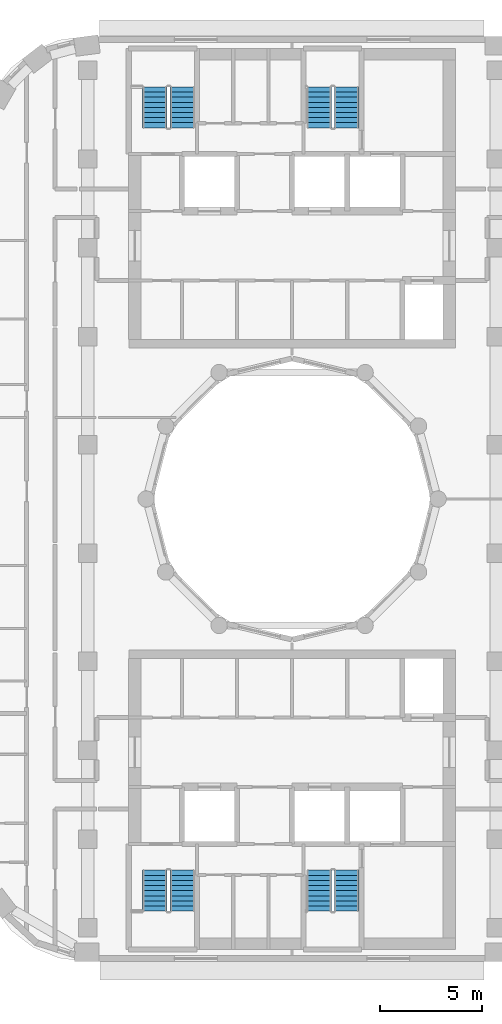
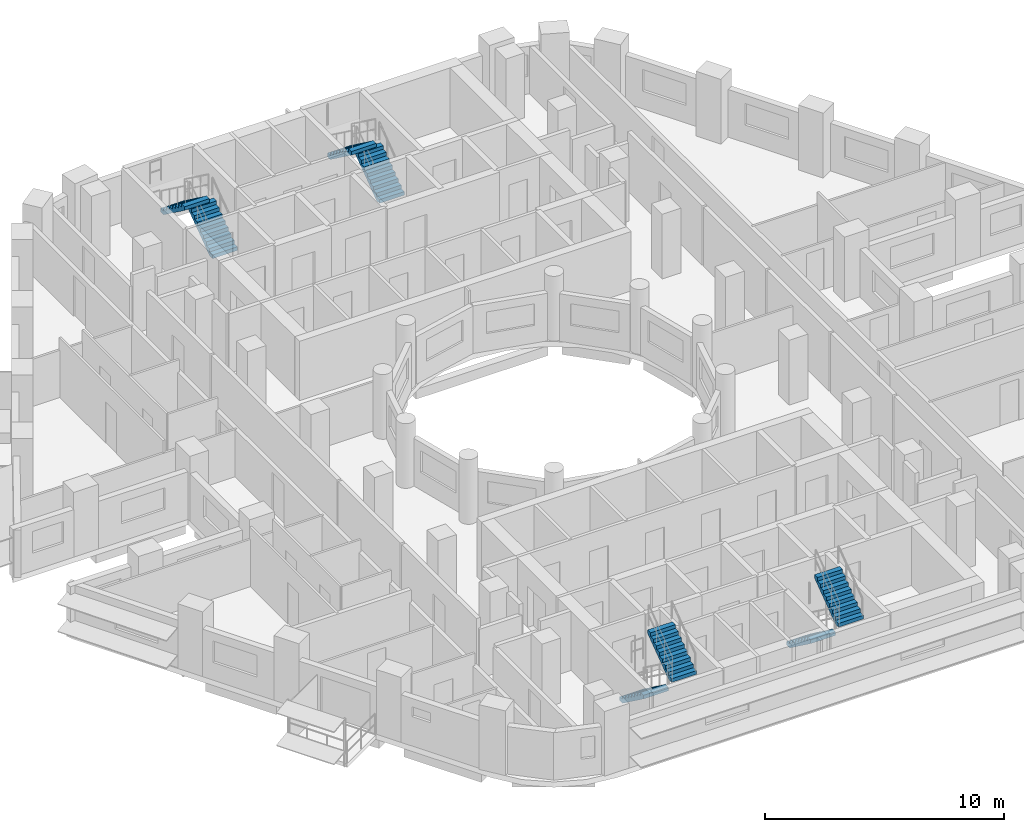
# One storey, part 10 of 17: 8 stair flights, 4 elements without a shape of their own.
"""IFC4 building model written with IfcOpenShell, lengths in metres."""

from ifc_helpers import new_model, si_unit, direction, frame, origin, place, context, subcontext, project, spatial, polyline, outline, extrude, material, type_object, element, aggregate, save


model = new_model("IFC4")

# Units and contexts
model_context = context("Model", 3, precision=1e-05, world=origin(), true_north=direction((0.0, 1.0)))
body_context = subcontext(model_context, "Body", "Model", "MODEL_VIEW")
ifc_project = project(units=[si_unit("LENGTHUNIT", "METRE"), si_unit("AREAUNIT", "SQUARE_METRE"), si_unit("VOLUMEUNIT", "CUBIC_METRE"), si_unit("PLANEANGLEUNIT", "RADIAN"), si_unit("MASSUNIT", "GRAM", prefix="KILO")], contexts=[model_context])

# Site, building, storey
site_placement = place(None, origin())
site = spatial("IfcSite", under=ifc_project, at=site_placement, CompositionType="ELEMENT")
building_placement = place(site_placement, origin())
building = spatial("IfcBuilding", under=site, at=building_placement, Name="Nakaniwa Court", CompositionType="ELEMENT")
storey_placement = place(building_placement, frame((0.0, 0.0, 209.699951171875)))
storey = spatial("IfcBuildingStorey", under=building, at=storey_placement, Name="L55", CompositionType="ELEMENT", Elevation=209.699951171875)

# Stair, stair flights
ifc_material = material(Name="Concrete C80/100", Category="concrete")
stair_type = type_object("IfcStairType", Name="Dog leg stair 1200 wide 18 risers", PredefinedType="HALF_TURN_STAIR", material=ifc_material)
stair_1_placement = place(storey_placement, origin())
stair_1 = element("IfcStair", 1, at=stair_1_placement, inside=storey, type_object=stair_type, Name="L55 Stair ST1", PredefinedType="HALF_TURN_STAIR")
stair_flight_type = type_object("IfcStairFlightType", Name="Stair flight 1200 wide 9 risers", PredefinedType="STRAIGHT", material=ifc_material)
stair_flight_1_placement = place(storey_placement, frame((74.625, 98.175048828125, 0.0), z_axis=(0.0, 0.0, 1.0), x_axis=(0.0, 1.0, 0.0)))
stair_flight_1 = element("IfcStairFlight", 2, at=stair_flight_1_placement, type_object=stair_flight_type, Name="ST1 flight 1", NumberOfRisers=9, NumberOfTreads=8, PredefinedType="STRAIGHT", RiserHeight=0.183333333, TreadLength=0.25, context=body_context, shape_type="SweptSolid", body=[
    extrude(outline(polyline([(0.0, 0.0), (0.0, 0.026123046875), (0.0, 0.052490234375), (0.0, 0.07861328125), (0.0, 0.104736328125), (0.0, 0.130859375), (0.0, 0.1572265625), (0.0, 0.183349609375), (0.25, 0.183349609375), (0.25, 0.36669921875), (0.5, 0.36669921875), (0.5, 0.550048828125), (0.75, 0.550048828125), (0.75, 0.7333984375), (1.0, 0.7333984375), (1.0, 0.916748046875), (1.25, 0.916748046875), (1.25, 1.10009765625), (1.5, 1.10009765625), (1.5, 1.283447265625), (1.75, 1.283447265625), (1.75, 1.466552734375), (2.0, 1.466552734375), (2.0, 1.64990234375), (2.0, 1.59716796875), (2.0, 1.54443359375), (2.0, 1.49169921875), (2.0, 1.43896484375), (2.0, 1.38623046875), (2.0, 1.33349609375), (2.0, 1.28076171875), (0.25341796875, 0.0), (0.0, 0.0)])), frame((0.0, 0.60009765625, 0.0), z_axis=(0.0, -1.0, 0.0), x_axis=(1.0, 0.0, 0.0)), (0.0, 0.0, 1.0), 1.199951171875),
])
stair_flight_2_placement = place(storey_placement, frame((73.27490234375, 100.175048828125, 1.650146484375), z_axis=(0.0, 0.0, 1.0), x_axis=(0.0, -1.0, 0.0)))
stair_flight_2 = element("IfcStairFlight", 3, at=stair_flight_2_placement, type_object=stair_flight_type, Name="ST1 flight 2", NumberOfRisers=9, NumberOfTreads=8, PredefinedType="STRAIGHT", RiserHeight=0.183333333, TreadLength=0.25, context=body_context, shape_type="SweptSolid", body=[
    extrude(outline(polyline([(0.0, 0.0), (0.0, 0.026123046875), (0.0, 0.052490234375), (0.0, 0.07861328125), (0.0, 0.104736328125), (0.0, 0.130859375), (0.0, 0.1572265625), (0.0, 0.183349609375), (0.25, 0.183349609375), (0.25, 0.36669921875), (0.5, 0.36669921875), (0.5, 0.550048828125), (0.75, 0.550048828125), (0.75, 0.7333984375), (1.0, 0.7333984375), (1.0, 0.916748046875), (1.25, 0.916748046875), (1.25, 1.10009765625), (1.5, 1.10009765625), (1.5, 1.283447265625), (1.75, 1.283447265625), (1.75, 1.466552734375), (2.0, 1.466552734375), (2.0, 1.64990234375), (2.0, 1.59716796875), (2.0, 1.54443359375), (2.0, 1.49169921875), (2.0, 1.43896484375), (2.0, 1.38623046875), (2.0, 1.33349609375), (2.0, 1.28076171875), (0.25341796875, 0.0), (0.0, 0.0)])), frame((0.0, 0.60009765625, 0.0), z_axis=(0.0, -1.0, 0.0), x_axis=(1.0, 0.0, 0.0)), (0.0, 0.0, 1.0), 1.199951171875),
])
aggregate(stair_1, [stair_flight_1, stair_flight_2])

stair_2_placement = place(storey_placement, origin())
stair_2 = element("IfcStair", 4, at=stair_2_placement, inside=storey, type_object=stair_type, Name="L55 Stair ST2", PredefinedType="HALF_TURN_STAIR")
stair_flight_3_placement = place(storey_placement, frame((82.675048828125, 98.175048828125, 0.0), z_axis=(0.0, 0.0, 1.0), x_axis=(0.0, 1.0, 0.0)))
stair_flight_3 = element("IfcStairFlight", 5, at=stair_flight_3_placement, type_object=stair_flight_type, Name="ST2 flight 1", NumberOfRisers=9, NumberOfTreads=8, PredefinedType="STRAIGHT", RiserHeight=0.183333333, TreadLength=0.25, context=body_context, shape_type="SweptSolid", body=[
    extrude(outline(polyline([(0.0, 0.0), (0.0, 0.026123046875), (0.0, 0.052490234375), (0.0, 0.07861328125), (0.0, 0.104736328125), (0.0, 0.130859375), (0.0, 0.1572265625), (0.0, 0.183349609375), (0.25, 0.183349609375), (0.25, 0.36669921875), (0.5, 0.36669921875), (0.5, 0.550048828125), (0.75, 0.550048828125), (0.75, 0.7333984375), (1.0, 0.7333984375), (1.0, 0.916748046875), (1.25, 0.916748046875), (1.25, 1.10009765625), (1.5, 1.10009765625), (1.5, 1.283447265625), (1.75, 1.283447265625), (1.75, 1.466552734375), (2.0, 1.466552734375), (2.0, 1.64990234375), (2.0, 1.59716796875), (2.0, 1.54443359375), (2.0, 1.49169921875), (2.0, 1.43896484375), (2.0, 1.38623046875), (2.0, 1.33349609375), (2.0, 1.28076171875), (0.25341796875, 0.0), (0.0, 0.0)])), frame((0.0, 0.60009765625, 0.0), z_axis=(0.0, -1.0, 0.0), x_axis=(1.0, 0.0, 0.0)), (0.0, 0.0, 1.0), 1.199951171875),
])
stair_flight_4_placement = place(storey_placement, frame((81.324951171875, 100.175048828125, 1.650146484375), z_axis=(0.0, 0.0, 1.0), x_axis=(0.0, -1.0, 0.0)))
stair_flight_4 = element("IfcStairFlight", 6, at=stair_flight_4_placement, type_object=stair_flight_type, Name="ST2 flight 2", NumberOfRisers=9, NumberOfTreads=8, PredefinedType="STRAIGHT", RiserHeight=0.183333333, TreadLength=0.25, context=body_context, shape_type="SweptSolid", body=[
    extrude(outline(polyline([(0.0, 0.0), (0.0, 0.026123046875), (0.0, 0.052490234375), (0.0, 0.07861328125), (0.0, 0.104736328125), (0.0, 0.130859375), (0.0, 0.1572265625), (0.0, 0.183349609375), (0.25, 0.183349609375), (0.25, 0.36669921875), (0.5, 0.36669921875), (0.5, 0.550048828125), (0.75, 0.550048828125), (0.75, 0.7333984375), (1.0, 0.7333984375), (1.0, 0.916748046875), (1.25, 0.916748046875), (1.25, 1.10009765625), (1.5, 1.10009765625), (1.5, 1.283447265625), (1.75, 1.283447265625), (1.75, 1.466552734375), (2.0, 1.466552734375), (2.0, 1.64990234375), (2.0, 1.59716796875), (2.0, 1.54443359375), (2.0, 1.49169921875), (2.0, 1.43896484375), (2.0, 1.38623046875), (2.0, 1.33349609375), (2.0, 1.28076171875), (0.25341796875, 0.0), (0.0, 0.0)])), frame((0.0, 0.60009765625, 0.0), z_axis=(0.0, -1.0, 0.0), x_axis=(1.0, 0.0, 0.0)), (0.0, 0.0, 1.0), 1.199951171875),
])
aggregate(stair_2, [stair_flight_3, stair_flight_4])

stair_3_placement = place(storey_placement, origin())
stair_3 = element("IfcStair", 7, at=stair_3_placement, inside=storey, type_object=stair_type, Name="L55 Stair ST3", PredefinedType="HALF_TURN_STAIR")
stair_flight_5_placement = place(storey_placement, frame((73.27490234375, 61.824951171875, 0.0), z_axis=(0.0, 0.0, 1.0), x_axis=(0.0, -1.0, 0.0)))
stair_flight_5 = element("IfcStairFlight", 8, at=stair_flight_5_placement, type_object=stair_flight_type, Name="ST3 flight 1", NumberOfRisers=9, NumberOfTreads=8, PredefinedType="STRAIGHT", RiserHeight=0.183333333, TreadLength=0.25, context=body_context, shape_type="SweptSolid", body=[
    extrude(outline(polyline([(0.0, 0.0), (0.0, 0.026123046875), (0.0, 0.052490234375), (0.0, 0.07861328125), (0.0, 0.104736328125), (0.0, 0.130859375), (0.0, 0.1572265625), (0.0, 0.183349609375), (0.25, 0.183349609375), (0.25, 0.36669921875), (0.5, 0.36669921875), (0.5, 0.550048828125), (0.75, 0.550048828125), (0.75, 0.7333984375), (1.0, 0.7333984375), (1.0, 0.916748046875), (1.25, 0.916748046875), (1.25, 1.10009765625), (1.5, 1.10009765625), (1.5, 1.283447265625), (1.75, 1.283447265625), (1.75, 1.466552734375), (2.0, 1.466552734375), (2.0, 1.64990234375), (2.0, 1.59716796875), (2.0, 1.54443359375), (2.0, 1.49169921875), (2.0, 1.43896484375), (2.0, 1.38623046875), (2.0, 1.33349609375), (2.0, 1.28076171875), (0.25341796875, 0.0), (0.0, 0.0)])), frame((0.0, 0.60009765625, 0.0), z_axis=(0.0, -1.0, 0.0), x_axis=(1.0, 0.0, 0.0)), (0.0, 0.0, 1.0), 1.199951171875),
])
stair_flight_6_placement = place(storey_placement, frame((74.625, 59.824951171875, 1.650146484375), z_axis=(0.0, 0.0, 1.0), x_axis=(0.0, 1.0, 0.0)))
stair_flight_6 = element("IfcStairFlight", 9, at=stair_flight_6_placement, type_object=stair_flight_type, Name="ST3 flight 2", NumberOfRisers=9, NumberOfTreads=8, PredefinedType="STRAIGHT", RiserHeight=0.183333333, TreadLength=0.25, context=body_context, shape_type="SweptSolid", body=[
    extrude(outline(polyline([(0.0, 0.0), (0.0, 0.026123046875), (0.0, 0.052490234375), (0.0, 0.07861328125), (0.0, 0.104736328125), (0.0, 0.130859375), (0.0, 0.1572265625), (0.0, 0.183349609375), (0.25, 0.183349609375), (0.25, 0.36669921875), (0.5, 0.36669921875), (0.5, 0.550048828125), (0.75, 0.550048828125), (0.75, 0.7333984375), (1.0, 0.7333984375), (1.0, 0.916748046875), (1.25, 0.916748046875), (1.25, 1.10009765625), (1.5, 1.10009765625), (1.5, 1.283447265625), (1.75, 1.283447265625), (1.75, 1.466552734375), (2.0, 1.466552734375), (2.0, 1.64990234375), (2.0, 1.59716796875), (2.0, 1.54443359375), (2.0, 1.49169921875), (2.0, 1.43896484375), (2.0, 1.38623046875), (2.0, 1.33349609375), (2.0, 1.28076171875), (0.25341796875, 0.0), (0.0, 0.0)])), frame((0.0, 0.60009765625, 0.0), z_axis=(0.0, -1.0, 0.0), x_axis=(1.0, 0.0, 0.0)), (0.0, 0.0, 1.0), 1.199951171875),
])
aggregate(stair_3, [stair_flight_5, stair_flight_6])

stair_4_placement = place(storey_placement, origin())
stair_4 = element("IfcStair", 10, at=stair_4_placement, inside=storey, type_object=stair_type, Name="L55 Stair ST4", PredefinedType="HALF_TURN_STAIR")
stair_flight_7_placement = place(storey_placement, frame((81.324951171875, 61.824951171875, 0.0), z_axis=(0.0, 0.0, 1.0), x_axis=(0.0, -1.0, 0.0)))
stair_flight_7 = element("IfcStairFlight", 11, at=stair_flight_7_placement, type_object=stair_flight_type, Name="ST4 flight 1", NumberOfRisers=9, NumberOfTreads=8, PredefinedType="STRAIGHT", RiserHeight=0.183333333, TreadLength=0.25, context=body_context, shape_type="SweptSolid", body=[
    extrude(outline(polyline([(0.0, 0.0), (0.0, 0.026123046875), (0.0, 0.052490234375), (0.0, 0.07861328125), (0.0, 0.104736328125), (0.0, 0.130859375), (0.0, 0.1572265625), (0.0, 0.183349609375), (0.25, 0.183349609375), (0.25, 0.36669921875), (0.5, 0.36669921875), (0.5, 0.550048828125), (0.75, 0.550048828125), (0.75, 0.7333984375), (1.0, 0.7333984375), (1.0, 0.916748046875), (1.25, 0.916748046875), (1.25, 1.10009765625), (1.5, 1.10009765625), (1.5, 1.283447265625), (1.75, 1.283447265625), (1.75, 1.466552734375), (2.0, 1.466552734375), (2.0, 1.64990234375), (2.0, 1.59716796875), (2.0, 1.54443359375), (2.0, 1.49169921875), (2.0, 1.43896484375), (2.0, 1.38623046875), (2.0, 1.33349609375), (2.0, 1.28076171875), (0.25341796875, 0.0), (0.0, 0.0)])), frame((0.0, 0.60009765625, 0.0), z_axis=(0.0, -1.0, 0.0), x_axis=(1.0, 0.0, 0.0)), (0.0, 0.0, 1.0), 1.199951171875),
])
stair_flight_8_placement = place(storey_placement, frame((82.675048828125, 59.824951171875, 1.650146484375), z_axis=(0.0, 0.0, 1.0), x_axis=(0.0, 1.0, 0.0)))
stair_flight_8 = element("IfcStairFlight", 12, at=stair_flight_8_placement, type_object=stair_flight_type, Name="ST4 flight 2", NumberOfRisers=9, NumberOfTreads=8, PredefinedType="STRAIGHT", RiserHeight=0.183333333, TreadLength=0.25, context=body_context, shape_type="SweptSolid", body=[
    extrude(outline(polyline([(0.0, 0.0), (0.0, 0.026123046875), (0.0, 0.052490234375), (0.0, 0.07861328125), (0.0, 0.104736328125), (0.0, 0.130859375), (0.0, 0.1572265625), (0.0, 0.183349609375), (0.25, 0.183349609375), (0.25, 0.36669921875), (0.5, 0.36669921875), (0.5, 0.550048828125), (0.75, 0.550048828125), (0.75, 0.7333984375), (1.0, 0.7333984375), (1.0, 0.916748046875), (1.25, 0.916748046875), (1.25, 1.10009765625), (1.5, 1.10009765625), (1.5, 1.283447265625), (1.75, 1.283447265625), (1.75, 1.466552734375), (2.0, 1.466552734375), (2.0, 1.64990234375), (2.0, 1.59716796875), (2.0, 1.54443359375), (2.0, 1.49169921875), (2.0, 1.43896484375), (2.0, 1.38623046875), (2.0, 1.33349609375), (2.0, 1.28076171875), (0.25341796875, 0.0), (0.0, 0.0)])), frame((0.0, 0.60009765625, 0.0), z_axis=(0.0, -1.0, 0.0), x_axis=(1.0, 0.0, 0.0)), (0.0, 0.0, 1.0), 1.199951171875),
])
aggregate(stair_4, [stair_flight_7, stair_flight_8])

save(model, "model.ifc")
